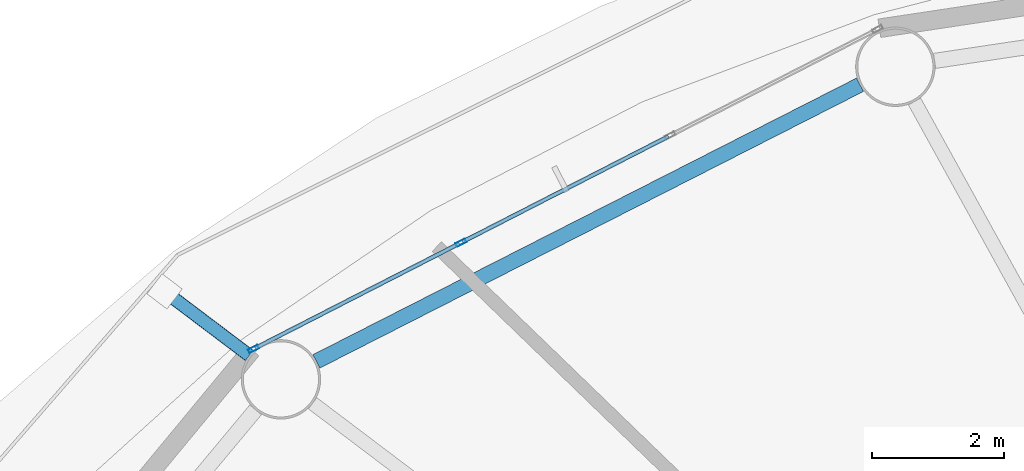
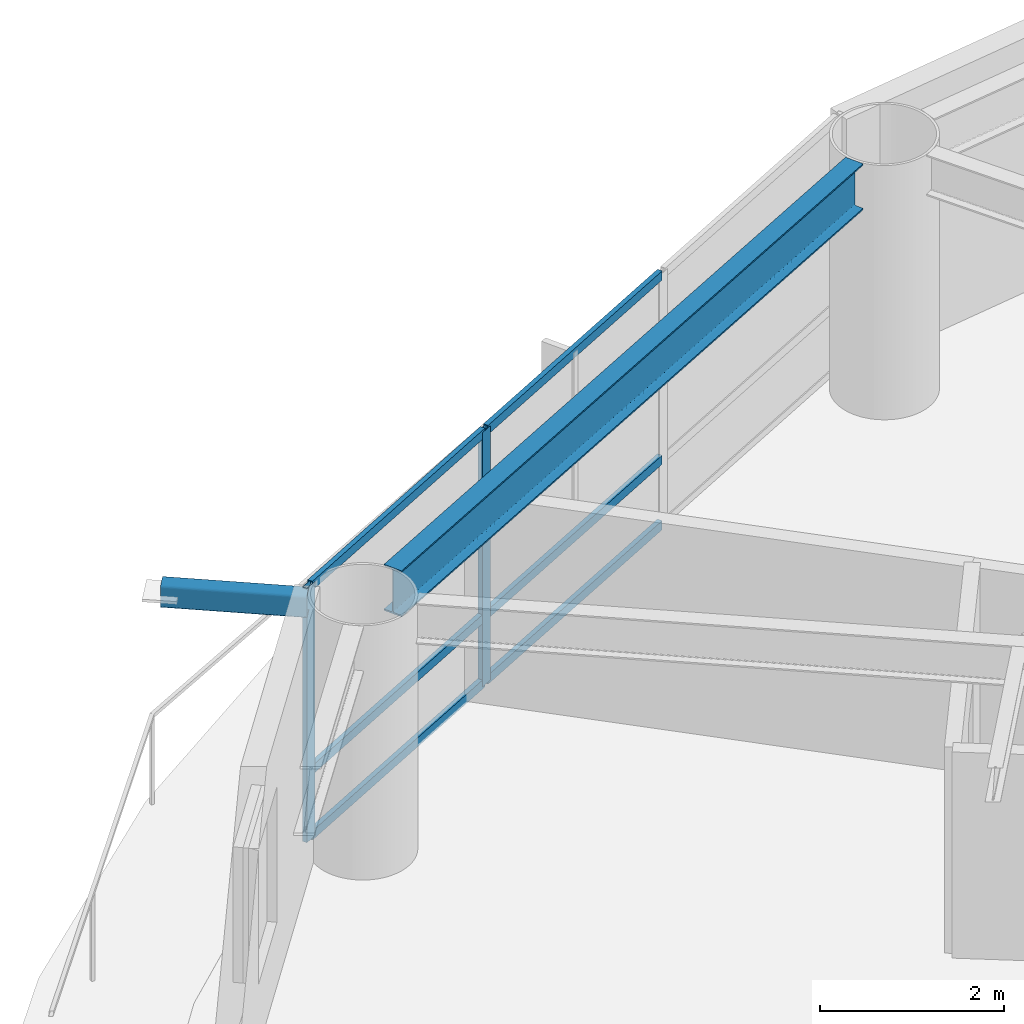
# One storey, part 8 of 24: 9 members, 1 beam, 1 element without a shape of its own.
"""IFC4 building model written with IfcOpenShell, lengths in metres."""

from ifc_helpers import new_model, si_unit, direction, frame, origin, origin_2d, place, context, subcontext, project, spatial, hollow_rectangle, i_section, extrude, material, layer, layer_set, material_profile, profile_set, type_object, element, aggregate, save


model = new_model("IFC4")

# Units and contexts
model_context = context("Model", 3, precision=1e-05, world=origin(), true_north=direction((0.0, 1.0)))
body_context = subcontext(model_context, "Body", "Model", "MODEL_VIEW")
ifc_project = project(units=[si_unit("LENGTHUNIT", "METRE"), si_unit("AREAUNIT", "SQUARE_METRE"), si_unit("VOLUMEUNIT", "CUBIC_METRE"), si_unit("PLANEANGLEUNIT", "RADIAN"), si_unit("MASSUNIT", "GRAM", prefix="KILO")], contexts=[model_context])

# Site, building, storey
site_placement = place(None, origin())
site = spatial("IfcSite", under=ifc_project, at=site_placement, CompositionType="ELEMENT")
building_placement = place(site_placement, origin())
building = spatial("IfcBuilding", under=site, at=building_placement, Name="Sarneth Arch Tower", CompositionType="ELEMENT")
storey_placement = place(building_placement, frame((0.0, 0.0, 94.800048828125)))
storey = spatial("IfcBuildingStorey", under=building, at=storey_placement, Name="L23", CompositionType="ELEMENT", Elevation=94.800048828125)

# Beam
ifc_material_1 = material(Name="Steel S355", Category="steel")
ifc_material_profile_1 = material_profile(ifc_material_1, i_section(OverallWidth=0.22900390625, OverallDepth=0.612060546875, WebThickness=0.011962890625, FlangeThickness=0.01953125, FilletRadius=0.01904296875, at=origin_2d()), Name="W610x125")
ifc_profile_set_1 = profile_set([ifc_material_profile_1], Name="Steel S355")
beam_type = type_object("IfcBeamType", Name="BM-SPAN-610C", PredefinedType="SPANDREL", material=ifc_profile_set_1)
beam_placement = place(storey_placement, frame((36.35498046875, 61.868408203125, 3.073974609375), z_axis=(-0.891259443414, -0.453493775619, 0.0), x_axis=(0.453493775619, -0.891259443414, 0.0)))
element("IfcBeam", 1, at=beam_placement, inside=storey, type_object=beam_type, Name="L23 Perimeter spandrel beam 06", PredefinedType="SPANDREL", context=body_context, shape_type="SweptSolid", body=[
    extrude(i_section(OverallWidth=0.22900390625, OverallDepth=0.612060546875, WebThickness=0.011962890625, FlangeThickness=0.01953125, FilletRadius=0.01904296875, at=origin_2d()), origin(), (0.0, 0.0, 1.0), 9.220458984375),
])

# Curtain wall, members
ifc_material_2 = material(Name="Anodised aluminium Type AA25 and solar-control low-e laminated IGU", Category="aluminium")
ifc_layer = layer(ifc_material_2, 0.159912109375)
ifc_layer_set = layer_set([ifc_layer], Name="Anodised aluminium Type AA25 and solar-control low-e laminated IGU")
curtain_wall_type = type_object("IfcCurtainWallType", Name="CW-HOTEL-MID", PredefinedType="NOTDEFINED", material=ifc_layer_set)
curtain_wall_placement = place(storey_placement, origin())
curtain_wall = element("IfcCurtainWall", 2, at=curtain_wall_placement, inside=storey, type_object=curtain_wall_type, Name="L23 Unitised curtain wall facet 06", PredefinedType="NOTDEFINED")
ifc_material_3 = material(Name="Anodised Aluminium 6063-T6", Category="aluminium")
ifc_material_profile_2 = material_profile(ifc_material_3, hollow_rectangle(XDim=0.06005859375, YDim=0.159912109375, WallThickness=0.00390625, at=origin_2d()), Name="AL-MULL-160x60x4")
ifc_profile_set_2 = profile_set([ifc_material_profile_2], Name="Anodised Aluminium 6063-T6")
member_type_1 = type_object("IfcMemberType", Name="CW-MULLION", PredefinedType="MULLION", material=ifc_profile_set_2)
member_1_placement = place(storey_placement, frame((30.322998046875, 59.481201171875, 0.0), z_axis=(0.0, 0.0, 1.0), x_axis=(0.456031365356, -0.889963703649, 0.0)))
member_1 = element("IfcMember", 3, at=member_1_placement, type_object=member_type_1, Name="CW-SYS-4 mullion 3", PredefinedType="MULLION", context=body_context, shape_type="SweptSolid", body=[
    extrude(hollow_rectangle(XDim=0.06005859375, YDim=0.159912109375, WallThickness=0.00390625, at=origin_2d()), origin(), (0.0, 0.0, 1.0), 3.3798828125),
])
member_2_placement = place(storey_placement, frame((27.186767578125, 57.8740234375, 0.0), z_axis=(0.0, 0.0, 1.0), x_axis=(0.456031365356, -0.889963703649, 0.0)))
member_2 = element("IfcMember", 4, at=member_2_placement, type_object=member_type_1, Name="CW-SYS-4 mullion 4", PredefinedType="MULLION", context=body_context, shape_type="SweptSolid", body=[
    extrude(hollow_rectangle(XDim=0.06005859375, YDim=0.159912109375, WallThickness=0.00390625, at=origin_2d()), origin(), (0.0, 0.0, 1.0), 3.3798828125),
])
ifc_material_4 = material(Name="Anodised Aluminium 6063-T6", Category="aluminium")
ifc_material_profile_3 = material_profile(ifc_material_4, hollow_rectangle(XDim=0.06005859375, YDim=0.1201171875, WallThickness=0.00390625, at=origin_2d()), Name="AL-TRAN-120x60x4")
ifc_profile_set_3 = profile_set([ifc_material_profile_3], Name="Anodised Aluminium 6063-T6")
member_type_2 = type_object("IfcMemberType", Name="CW-TRANSOM", PredefinedType="USERDEFINED", material=ifc_profile_set_3)
member_3_placement = place(storey_placement, frame((33.459228515625, 61.088134765625, 0.030029296875), z_axis=(-0.889981813856, -0.455996020823, 0.0), x_axis=(0.455996020823, -0.889981813856, 0.0)))
member_3 = element("IfcMember", 5, at=member_3_placement, type_object=member_type_2, Name="CW-SYS-4 transom 2.1", ObjectType="TRANSOM", PredefinedType="USERDEFINED", context=body_context, shape_type="SweptSolid", body=[
    extrude(hollow_rectangle(XDim=0.06005859375, YDim=0.1201171875, WallThickness=0.00390625, at=origin_2d()), origin(), (0.0, 0.0, 1.0), 3.494140625),
])
member_4_placement = place(storey_placement, frame((33.459228515625, 61.088134765625, 0.89990234375), z_axis=(-0.889981813856, -0.455996020823, 0.0), x_axis=(0.455996020823, -0.889981813856, 0.0)))
member_4 = element("IfcMember", 6, at=member_4_placement, type_object=member_type_2, Name="CW-SYS-4 transom 2.2", ObjectType="TRANSOM", PredefinedType="USERDEFINED", context=body_context, shape_type="SweptSolid", body=[
    extrude(hollow_rectangle(XDim=0.06005859375, YDim=0.1201171875, WallThickness=0.00390625, at=origin_2d()), origin(), (0.0, 0.0, 1.0), 3.494140625),
])
member_5_placement = place(storey_placement, frame((33.459228515625, 61.088134765625, 3.349853515625), z_axis=(-0.889981813856, -0.455996020823, 0.0), x_axis=(0.455996020823, -0.889981813856, 0.0)))
member_5 = element("IfcMember", 7, at=member_5_placement, type_object=member_type_2, Name="CW-SYS-4 transom 2.3", ObjectType="TRANSOM", PredefinedType="USERDEFINED", context=body_context, shape_type="SweptSolid", body=[
    extrude(hollow_rectangle(XDim=0.06005859375, YDim=0.1201171875, WallThickness=0.00390625, at=origin_2d()), origin(), (0.0, 0.0, 1.0), 3.494140625),
])
member_6_placement = place(storey_placement, frame((30.296142578125, 59.467529296875, 0.030029296875), z_axis=(-0.889942905184, -0.456071952122, 0.0), x_axis=(0.456071952122, -0.889942905184, 0.0)))
member_6 = element("IfcMember", 8, at=member_6_placement, type_object=member_type_2, Name="CW-SYS-4 transom 3.1", ObjectType="TRANSOM", PredefinedType="USERDEFINED", context=body_context, shape_type="SweptSolid", body=[
    extrude(hollow_rectangle(XDim=0.06005859375, YDim=0.1201171875, WallThickness=0.00390625, at=origin_2d()), origin(), (0.0, 0.0, 1.0), 3.464111328125),
])
member_7_placement = place(storey_placement, frame((30.296142578125, 59.467529296875, 0.89990234375), z_axis=(-0.889942905184, -0.456071952122, 0.0), x_axis=(0.456071952122, -0.889942905184, 0.0)))
member_7 = element("IfcMember", 9, at=member_7_placement, type_object=member_type_2, Name="CW-SYS-4 transom 3.2", ObjectType="TRANSOM", PredefinedType="USERDEFINED", context=body_context, shape_type="SweptSolid", body=[
    extrude(hollow_rectangle(XDim=0.06005859375, YDim=0.1201171875, WallThickness=0.00390625, at=origin_2d()), origin(), (0.0, 0.0, 1.0), 3.464111328125),
])
member_8_placement = place(storey_placement, frame((30.296142578125, 59.467529296875, 3.349853515625), z_axis=(-0.889942905184, -0.456071952122, 0.0), x_axis=(0.456071952122, -0.889942905184, 0.0)))
member_8 = element("IfcMember", 10, at=member_8_placement, type_object=member_type_2, Name="CW-SYS-4 transom 3.3", ObjectType="TRANSOM", PredefinedType="USERDEFINED", context=body_context, shape_type="SweptSolid", body=[
    extrude(hollow_rectangle(XDim=0.06005859375, YDim=0.1201171875, WallThickness=0.00390625, at=origin_2d()), origin(), (0.0, 0.0, 1.0), 3.464111328125),
])
aggregate(curtain_wall, [member_1, member_2, member_3, member_4, member_5, member_6, member_7, member_8])

# Member
ifc_material_5 = material(Name="Steel S355", Category="steel")
ifc_material_profile_4 = material_profile(ifc_material_5, hollow_rectangle(XDim=0.199951171875, YDim=0.300048828125, WallThickness=0.012451171875, InnerFilletRadius=0.018798828125, OuterFilletRadius=0.03125, at=origin_2d()), Name="RHS300x200x12.5")
ifc_profile_set_4 = profile_set([ifc_material_profile_4], Name="Steel S355")
member_type_3 = type_object("IfcMemberType", Name="MEM-CANT-STRUT", PredefinedType="STRUT", material=ifc_profile_set_4)
member_9_placement = place(storey_placement, frame((27.123779296875, 57.776611328125, 3.219970703125), z_axis=(-0.797805574696, 0.602914807402, 0.0), x_axis=(-0.602914807402, -0.797805574696, 0.0)))
element("IfcMember", 11, at=member_9_placement, inside=storey, type_object=member_type_3, Name="L23 Balcony cantilever bracket 07", PredefinedType="STRUT", context=body_context, shape_type="SweptSolid", body=[
    extrude(hollow_rectangle(XDim=0.199951171875, YDim=0.300048828125, WallThickness=0.012451171875, InnerFilletRadius=0.018798828125, OuterFilletRadius=0.03125, at=origin_2d()), origin(), (0.0, 0.0, 1.0), 1.60595703125),
])

save(model, "model.ifc")
